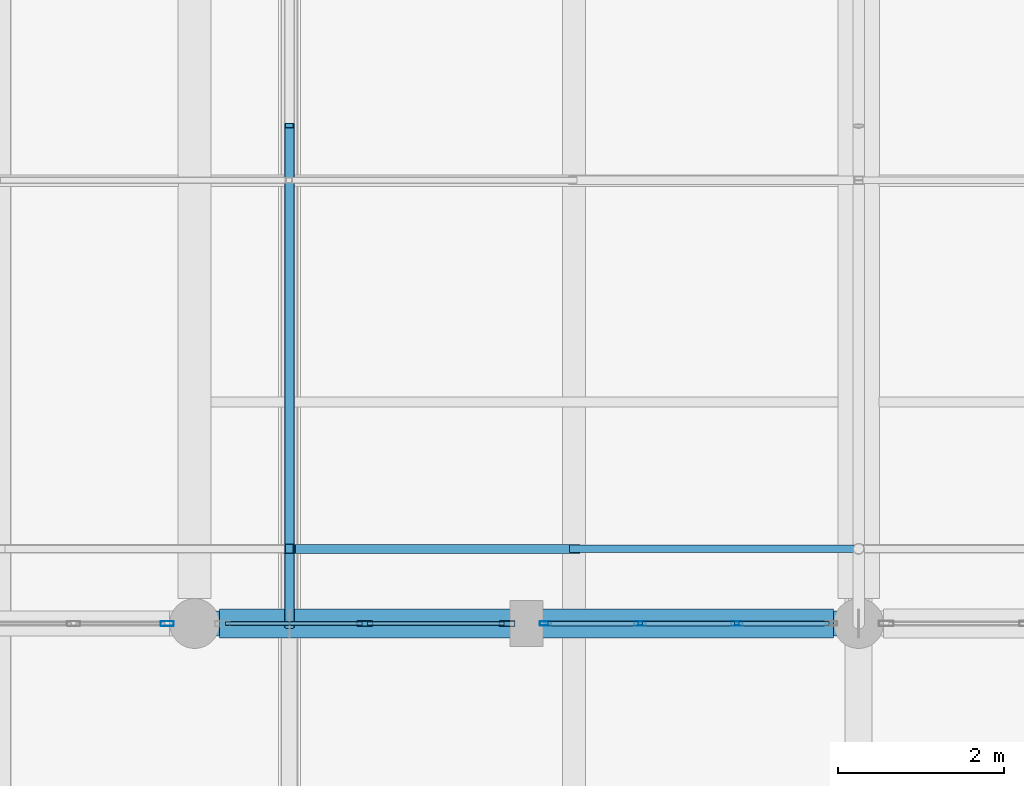
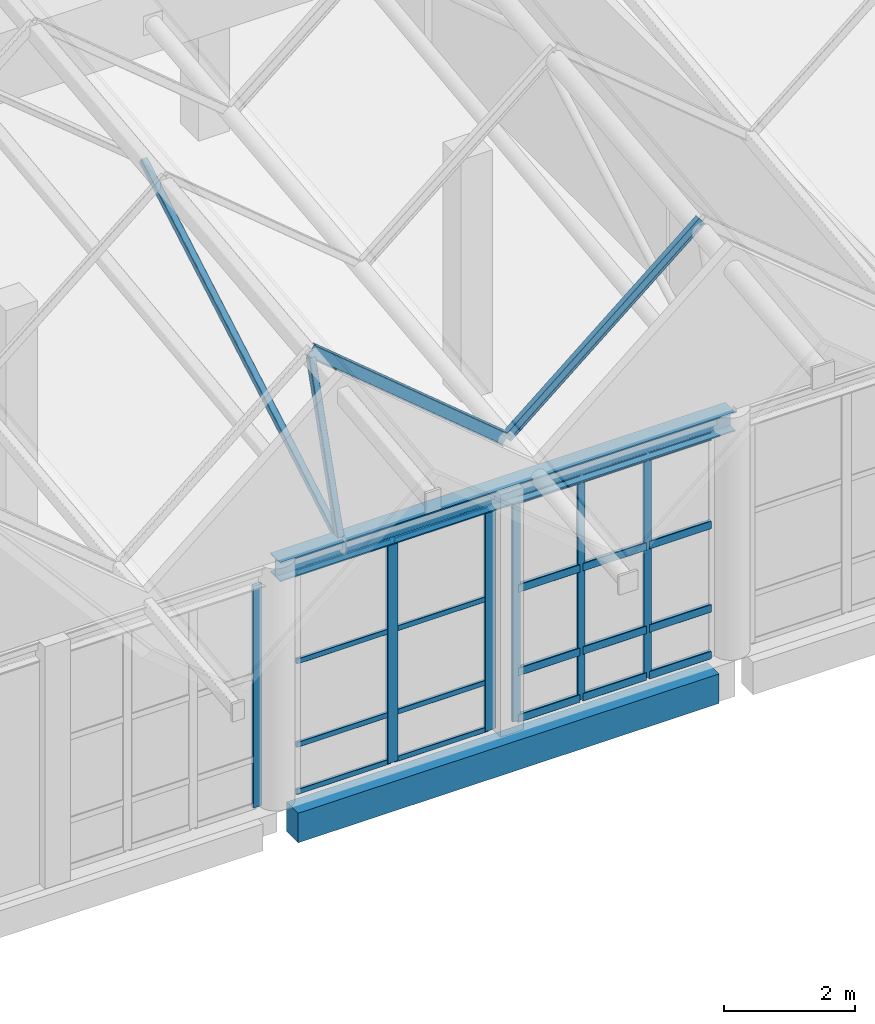
# One storey, part 71 of 183: 30 members, 2 beams, 3 elements without a shape of their own.
"""IFC4 building model written with IfcOpenShell, lengths in metres."""

from ifc_helpers import new_model, si_unit, direction, frame, origin, origin_2d, place, context, subcontext, project, spatial, rectangle, hollow_rectangle, i_section, extrude, material, material_profile, profile_set, type_object, element, aggregate, save


model = new_model("IFC4")

# Units and contexts
model_context = context("Model", 3, precision=1e-05, world=origin(), true_north=direction((0.0, 1.0)))
body_context = subcontext(model_context, "Body", "Model", "MODEL_VIEW")
ifc_project = project(units=[si_unit("LENGTHUNIT", "METRE"), si_unit("AREAUNIT", "SQUARE_METRE"), si_unit("VOLUMEUNIT", "CUBIC_METRE"), si_unit("PLANEANGLEUNIT", "RADIAN"), si_unit("MASSUNIT", "GRAM", prefix="KILO")], contexts=[model_context])

# Site, building, storey
site_placement = place(None, origin())
site = spatial("IfcSite", under=ifc_project, at=site_placement, CompositionType="ELEMENT")
building_placement = place(site_placement, origin())
building = spatial("IfcBuilding", under=site, at=building_placement, Name="Luwemba Playhouse", CompositionType="ELEMENT")
storey_placement = place(building_placement, frame((0.0, 0.0, 4.800048828125)))
storey = spatial("IfcBuildingStorey", under=building, at=storey_placement, Name="L01", CompositionType="ELEMENT", Elevation=4.800048828125)

# Beams
ifc_material_1 = material(Name="Steel S355", Category="steel")
ifc_material_profile_1 = material_profile(ifc_material_1, i_section(OverallWidth=0.300048828125, OverallDepth=0.360107421875, WebThickness=0.012451171875, FlangeThickness=0.0224609375, FilletRadius=0.027099609375, at=origin_2d()))
ifc_profile_set_1 = profile_set([ifc_material_profile_1], Name="Steel S355")
beam_type_1 = type_object("IfcBeamType", Name="BM-SB09", PredefinedType="BEAM", material=ifc_profile_set_1)
beam_1_placement = place(storey_placement, frame((140.0, 3.0, 4.320068359375), z_axis=(1.0, 0.0, 0.0), x_axis=(0.0, 1.0, 0.0)))
element("IfcBeam", 1, at=beam_1_placement, inside=storey, type_object=beam_type_1, Name="RF-V5E eave ring beam 0293", PredefinedType="BEAM", context=body_context, shape_type="SweptSolid", body=[
    extrude(i_section(OverallWidth=0.300048828125, OverallDepth=0.360107421875, WebThickness=0.012451171875, FlangeThickness=0.0224609375, FilletRadius=0.027099609375, at=origin_2d()), origin(), (0.0, 0.0, 1.0), 8.0),
])
ifc_material_2 = material(Name="Concrete C40/50", Category="concrete")
ifc_material_profile_2 = material_profile(ifc_material_2, rectangle(XDim=0.35009765625, YDim=0.550048828125, at=origin_2d()))
ifc_profile_set_2 = profile_set([ifc_material_profile_2], Name="Concrete C40/50")
beam_type_2 = type_object("IfcBeamType", Name="BM-SP2", PredefinedType="SPANDREL", material=ifc_profile_set_2)
beam_2_placement = place(storey_placement, frame((140.300048828125, 3.0, -0.525146484375), z_axis=(1.0, 0.0, 0.0), x_axis=(0.0, 1.0, 0.0)))
element("IfcBeam", 2, at=beam_2_placement, inside=storey, type_object=beam_type_2, Name="L01 grid girder 0521", PredefinedType="SPANDREL", context=body_context, shape_type="SweptSolid", body=[
    extrude(rectangle(XDim=0.35009765625, YDim=0.550048828125, at=origin_2d()), origin(), (0.0, 0.0, 1.0), 7.39990234375),
])

# Curtain wall, member
ifc_material_3 = material(Name="Solar-control double glazing", Category="glass")
curtain_wall_type_1 = type_object("IfcCurtainWallType", Name="CW-CW124", PredefinedType="USERDEFINED", material=ifc_material_3)
curtain_wall_1_placement = place(storey_placement, origin())
curtain_wall_1 = element("IfcCurtainWall", 3, at=curtain_wall_1_placement, inside=storey, type_object=curtain_wall_type_1, Name="L01 V5E unitised curtain wall 178", ObjectType="UNITISED GLAZING", PredefinedType="USERDEFINED")
ifc_material_4 = material(Name="Aluminium 6063-T6", Category="aluminium")
ifc_material_profile_3 = material_profile(ifc_material_4, hollow_rectangle(XDim=0.06005859375, YDim=0.159912109375, WallThickness=0.00390625, InnerFilletRadius=0.006103515625, OuterFilletRadius=0.010009765625, at=origin_2d()))
ifc_profile_set_3 = profile_set([ifc_material_profile_3], Name="Aluminium 6063-T6")
member_type_1 = type_object("IfcMemberType", Name="CWM-M1", PredefinedType="MULLION", material=ifc_profile_set_3)
member_1_placement = place(storey_placement, frame((139.669921875, 3.0, 0.0), z_axis=(0.0, 0.0, 1.0), x_axis=(0.0, -1.0, 0.0)))
member_1 = element("IfcMember", 4, at=member_1_placement, type_object=member_type_1, Name="CW124 mullion 1", PredefinedType="MULLION", context=body_context, shape_type="SweptSolid", body=[
    extrude(hollow_rectangle(XDim=0.06005859375, YDim=0.159912109375, WallThickness=0.00390625, InnerFilletRadius=0.006103515625, OuterFilletRadius=0.010009765625, at=origin_2d()), origin(), (0.0, 0.0, 1.0), 4.125),
])
aggregate(curtain_wall_1, [member_1])

# Curtain wall, members
curtain_wall_type_2 = type_object("IfcCurtainWallType", Name="CW-CW126", PredefinedType="USERDEFINED", material=ifc_material_3)
curtain_wall_2_placement = place(storey_placement, origin())
curtain_wall_2 = element("IfcCurtainWall", 5, at=curtain_wall_2_placement, inside=storey, type_object=curtain_wall_type_2, Name="L01 V5E unitised curtain wall 176", ObjectType="UNITISED GLAZING", PredefinedType="USERDEFINED")
ifc_material_profile_4 = material_profile(ifc_material_4, hollow_rectangle(XDim=0.054931640625, YDim=0.139892578125, WallThickness=0.00390625, InnerFilletRadius=0.006103515625, OuterFilletRadius=0.010009765625, at=origin_2d()))
ifc_profile_set_4 = profile_set([ifc_material_profile_4], Name="Aluminium 6063-T6")
member_type_2 = type_object("IfcMemberType", Name="CWM-M3", PredefinedType="MULLION", material=ifc_profile_set_4)
member_2_placement = place(storey_placement, frame((146.533447265625, 3.0, 0.0), z_axis=(0.0, 0.0, 1.0), x_axis=(0.0, -1.0, 0.0)))
member_2 = element("IfcMember", 6, at=member_2_placement, type_object=member_type_2, Name="CW126 mullion 2", PredefinedType="MULLION", context=body_context, shape_type="SweptSolid", body=[
    extrude(hollow_rectangle(XDim=0.054931640625, YDim=0.139892578125, WallThickness=0.00390625, InnerFilletRadius=0.006103515625, OuterFilletRadius=0.010009765625, at=origin_2d()), origin(), (0.0, 0.0, 1.0), 4.125),
])
member_3_placement = place(storey_placement, frame((145.36669921875, 3.0, 0.0), z_axis=(0.0, 0.0, 1.0), x_axis=(0.0, -1.0, 0.0)))
member_3 = element("IfcMember", 7, at=member_3_placement, type_object=member_type_2, Name="CW126 mullion 3", PredefinedType="MULLION", context=body_context, shape_type="SweptSolid", body=[
    extrude(hollow_rectangle(XDim=0.054931640625, YDim=0.139892578125, WallThickness=0.00390625, InnerFilletRadius=0.006103515625, OuterFilletRadius=0.010009765625, at=origin_2d()), origin(), (0.0, 0.0, 1.0), 4.125),
])
member_4_placement = place(storey_placement, frame((144.2275390625, 3.0, 0.0), z_axis=(0.0, 0.0, 1.0), x_axis=(0.0, -1.0, 0.0)))
member_4 = element("IfcMember", 8, at=member_4_placement, type_object=member_type_2, Name="CW126 mullion 4", PredefinedType="MULLION", context=body_context, shape_type="SweptSolid", body=[
    extrude(hollow_rectangle(XDim=0.054931640625, YDim=0.139892578125, WallThickness=0.00390625, InnerFilletRadius=0.006103515625, OuterFilletRadius=0.010009765625, at=origin_2d()), origin(), (0.0, 0.0, 1.0), 4.125),
])

curtain_wall_type_3 = type_object("IfcCurtainWallType", Name="CW-CW119", PredefinedType="USERDEFINED", material=ifc_material_3)
curtain_wall_3_placement = place(storey_placement, origin())
curtain_wall_3 = element("IfcCurtainWall", 9, at=curtain_wall_3_placement, inside=storey, type_object=curtain_wall_type_3, Name="L01 V5E unitised curtain wall 177", ObjectType="UNITISED GLAZING", PredefinedType="USERDEFINED")
ifc_material_profile_5 = material_profile(ifc_material_4, hollow_rectangle(XDim=0.070068359375, YDim=0.18994140625, WallThickness=0.0048828125, InnerFilletRadius=0.007568359375, OuterFilletRadius=0.012451171875, at=origin_2d()))
ifc_profile_set_5 = profile_set([ifc_material_profile_5], Name="Aluminium 6063-T6")
member_type_3 = type_object("IfcMemberType", Name="CWM-M4", PredefinedType="MULLION", material=ifc_profile_set_5)
member_5_placement = place(storey_placement, frame((143.764892578125, 3.0, 0.0), z_axis=(0.0, 0.0, 1.0), x_axis=(0.0, -1.0, 0.0)))
member_5 = element("IfcMember", 10, at=member_5_placement, type_object=member_type_3, Name="CW119 mullion 1", PredefinedType="MULLION", context=body_context, shape_type="SweptSolid", body=[
    extrude(hollow_rectangle(XDim=0.070068359375, YDim=0.18994140625, WallThickness=0.0048828125, InnerFilletRadius=0.007568359375, OuterFilletRadius=0.012451171875, at=origin_2d()), origin(), (0.0, 0.0, 1.0), 4.125),
])
member_6_placement = place(storey_placement, frame((142.050048828125, 3.0, 0.0), z_axis=(0.0, 0.0, 1.0), x_axis=(0.0, -1.0, 0.0)))
member_6 = element("IfcMember", 11, at=member_6_placement, type_object=member_type_3, Name="CW119 mullion 2", PredefinedType="MULLION", context=body_context, shape_type="SweptSolid", body=[
    extrude(hollow_rectangle(XDim=0.070068359375, YDim=0.18994140625, WallThickness=0.0048828125, InnerFilletRadius=0.007568359375, OuterFilletRadius=0.012451171875, at=origin_2d()), origin(), (0.0, 0.0, 1.0), 4.125),
])

# Member
ifc_material_profile_6 = material_profile(ifc_material_4, hollow_rectangle(XDim=0.06494140625, YDim=0.14990234375, WallThickness=0.00390625, InnerFilletRadius=0.006103515625, OuterFilletRadius=0.010009765625, at=origin_2d()))
ifc_profile_set_6 = profile_set([ifc_material_profile_6], Name="Aluminium 6063-T6")
member_type_4 = type_object("IfcMemberType", Name="CWT-T3", PredefinedType="USERDEFINED", material=ifc_profile_set_6)
member_7_placement = place(storey_placement, frame((147.64501953125, 3.0, 0.032470703125), z_axis=(-1.0, 0.0, 0.0), x_axis=(0.0, -1.0, 0.0)))
member_7 = element("IfcMember", 12, at=member_7_placement, type_object=member_type_4, Name="CW126 transom 1.1", ObjectType="TRANSOM", PredefinedType="USERDEFINED", context=body_context, shape_type="SweptSolid", body=[
    extrude(hollow_rectangle(XDim=0.06494140625, YDim=0.14990234375, WallThickness=0.00390625, InnerFilletRadius=0.006103515625, OuterFilletRadius=0.010009765625, at=origin_2d()), origin(), (0.0, 0.0, 1.0), 1.084228515625),
])

member_8_placement = place(storey_placement, frame((147.64501953125, 3.0, 0.89990234375), z_axis=(-1.0, 0.0, 0.0), x_axis=(0.0, -1.0, 0.0)))
member_8 = element("IfcMember", 13, at=member_8_placement, type_object=member_type_4, Name="CW126 transom 1.2", ObjectType="TRANSOM", PredefinedType="USERDEFINED", context=body_context, shape_type="SweptSolid", body=[
    extrude(hollow_rectangle(XDim=0.06494140625, YDim=0.14990234375, WallThickness=0.00390625, InnerFilletRadius=0.006103515625, OuterFilletRadius=0.010009765625, at=origin_2d()), origin(), (0.0, 0.0, 1.0), 1.084228515625),
])

member_9_placement = place(storey_placement, frame((147.64501953125, 3.0, 2.449951171875), z_axis=(-1.0, 0.0, 0.0), x_axis=(0.0, -1.0, 0.0)))
member_9 = element("IfcMember", 14, at=member_9_placement, type_object=member_type_4, Name="CW126 transom 1.3", ObjectType="TRANSOM", PredefinedType="USERDEFINED", context=body_context, shape_type="SweptSolid", body=[
    extrude(hollow_rectangle(XDim=0.06494140625, YDim=0.14990234375, WallThickness=0.00390625, InnerFilletRadius=0.006103515625, OuterFilletRadius=0.010009765625, at=origin_2d()), origin(), (0.0, 0.0, 1.0), 1.084228515625),
])

member_10_placement = place(storey_placement, frame((147.64501953125, 3.0, 4.092529296875), z_axis=(-1.0, 0.0, 0.0), x_axis=(0.0, -1.0, 0.0)))
member_10 = element("IfcMember", 15, at=member_10_placement, type_object=member_type_4, Name="CW126 transom 1.4", ObjectType="TRANSOM", PredefinedType="USERDEFINED", context=body_context, shape_type="SweptSolid", body=[
    extrude(hollow_rectangle(XDim=0.06494140625, YDim=0.14990234375, WallThickness=0.00390625, InnerFilletRadius=0.006103515625, OuterFilletRadius=0.010009765625, at=origin_2d()), origin(), (0.0, 0.0, 1.0), 1.084228515625),
])

member_11_placement = place(storey_placement, frame((146.505859375, 3.0, 0.032470703125), z_axis=(-1.0, 0.0, 0.0), x_axis=(0.0, -1.0, 0.0)))
member_11 = element("IfcMember", 16, at=member_11_placement, type_object=member_type_4, Name="CW126 transom 2.1", ObjectType="TRANSOM", PredefinedType="USERDEFINED", context=body_context, shape_type="SweptSolid", body=[
    extrude(hollow_rectangle(XDim=0.06494140625, YDim=0.14990234375, WallThickness=0.00390625, InnerFilletRadius=0.006103515625, OuterFilletRadius=0.010009765625, at=origin_2d()), origin(), (0.0, 0.0, 1.0), 1.111572265625),
])

member_12_placement = place(storey_placement, frame((146.505859375, 3.0, 0.89990234375), z_axis=(-1.0, 0.0, 0.0), x_axis=(0.0, -1.0, 0.0)))
member_12 = element("IfcMember", 17, at=member_12_placement, type_object=member_type_4, Name="CW126 transom 2.2", ObjectType="TRANSOM", PredefinedType="USERDEFINED", context=body_context, shape_type="SweptSolid", body=[
    extrude(hollow_rectangle(XDim=0.06494140625, YDim=0.14990234375, WallThickness=0.00390625, InnerFilletRadius=0.006103515625, OuterFilletRadius=0.010009765625, at=origin_2d()), origin(), (0.0, 0.0, 1.0), 1.111572265625),
])

member_13_placement = place(storey_placement, frame((146.505859375, 3.0, 2.449951171875), z_axis=(-1.0, 0.0, 0.0), x_axis=(0.0, -1.0, 0.0)))
member_13 = element("IfcMember", 18, at=member_13_placement, type_object=member_type_4, Name="CW126 transom 2.3", ObjectType="TRANSOM", PredefinedType="USERDEFINED", context=body_context, shape_type="SweptSolid", body=[
    extrude(hollow_rectangle(XDim=0.06494140625, YDim=0.14990234375, WallThickness=0.00390625, InnerFilletRadius=0.006103515625, OuterFilletRadius=0.010009765625, at=origin_2d()), origin(), (0.0, 0.0, 1.0), 1.111572265625),
])

member_14_placement = place(storey_placement, frame((146.505859375, 3.0, 4.092529296875), z_axis=(-1.0, 0.0, 0.0), x_axis=(0.0, -1.0, 0.0)))
member_14 = element("IfcMember", 19, at=member_14_placement, type_object=member_type_4, Name="CW126 transom 2.4", ObjectType="TRANSOM", PredefinedType="USERDEFINED", context=body_context, shape_type="SweptSolid", body=[
    extrude(hollow_rectangle(XDim=0.06494140625, YDim=0.14990234375, WallThickness=0.00390625, InnerFilletRadius=0.006103515625, OuterFilletRadius=0.010009765625, at=origin_2d()), origin(), (0.0, 0.0, 1.0), 1.111572265625),
])

member_15_placement = place(storey_placement, frame((145.339111328125, 3.0, 0.032470703125), z_axis=(-1.0, 0.0, 0.0), x_axis=(0.0, -1.0, 0.0)))
member_15 = element("IfcMember", 20, at=member_15_placement, type_object=member_type_4, Name="CW126 transom 3.1", ObjectType="TRANSOM", PredefinedType="USERDEFINED", context=body_context, shape_type="SweptSolid", body=[
    extrude(hollow_rectangle(XDim=0.06494140625, YDim=0.14990234375, WallThickness=0.00390625, InnerFilletRadius=0.006103515625, OuterFilletRadius=0.010009765625, at=origin_2d()), origin(), (0.0, 0.0, 1.0), 1.084228515625),
])

member_16_placement = place(storey_placement, frame((145.339111328125, 3.0, 0.89990234375), z_axis=(-1.0, 0.0, 0.0), x_axis=(0.0, -1.0, 0.0)))
member_16 = element("IfcMember", 21, at=member_16_placement, type_object=member_type_4, Name="CW126 transom 3.2", ObjectType="TRANSOM", PredefinedType="USERDEFINED", context=body_context, shape_type="SweptSolid", body=[
    extrude(hollow_rectangle(XDim=0.06494140625, YDim=0.14990234375, WallThickness=0.00390625, InnerFilletRadius=0.006103515625, OuterFilletRadius=0.010009765625, at=origin_2d()), origin(), (0.0, 0.0, 1.0), 1.084228515625),
])

member_17_placement = place(storey_placement, frame((145.339111328125, 3.0, 2.449951171875), z_axis=(-1.0, 0.0, 0.0), x_axis=(0.0, -1.0, 0.0)))
member_17 = element("IfcMember", 22, at=member_17_placement, type_object=member_type_4, Name="CW126 transom 3.3", ObjectType="TRANSOM", PredefinedType="USERDEFINED", context=body_context, shape_type="SweptSolid", body=[
    extrude(hollow_rectangle(XDim=0.06494140625, YDim=0.14990234375, WallThickness=0.00390625, InnerFilletRadius=0.006103515625, OuterFilletRadius=0.010009765625, at=origin_2d()), origin(), (0.0, 0.0, 1.0), 1.084228515625),
])

member_18_placement = place(storey_placement, frame((145.339111328125, 3.0, 4.092529296875), z_axis=(-1.0, 0.0, 0.0), x_axis=(0.0, -1.0, 0.0)))
member_18 = element("IfcMember", 23, at=member_18_placement, type_object=member_type_4, Name="CW126 transom 3.4", ObjectType="TRANSOM", PredefinedType="USERDEFINED", context=body_context, shape_type="SweptSolid", body=[
    extrude(hollow_rectangle(XDim=0.06494140625, YDim=0.14990234375, WallThickness=0.00390625, InnerFilletRadius=0.006103515625, OuterFilletRadius=0.010009765625, at=origin_2d()), origin(), (0.0, 0.0, 1.0), 1.084228515625),
])

aggregate(curtain_wall_2, [member_2, member_3, member_4, member_7, member_8, member_9, member_10, member_11, member_12, member_13, member_14, member_15, member_16, member_17, member_18])

ifc_material_profile_7 = material_profile(ifc_material_4, hollow_rectangle(XDim=0.050048828125, YDim=0.10009765625, WallThickness=0.00341796875, InnerFilletRadius=0.00537109375, OuterFilletRadius=0.0087890625, at=origin_2d()))
ifc_profile_set_7 = profile_set([ifc_material_profile_7], Name="Aluminium 6063-T6")
member_type_5 = type_object("IfcMemberType", Name="CWT-T4", PredefinedType="USERDEFINED", material=ifc_profile_set_7)
member_19_placement = place(storey_placement, frame((143.72998046875, 3.0, 0.02490234375), z_axis=(-1.0, 0.0, 0.0), x_axis=(0.0, -1.0, 0.0)))
member_19 = element("IfcMember", 24, at=member_19_placement, type_object=member_type_5, Name="CW119 transom 1.1", ObjectType="TRANSOM", PredefinedType="USERDEFINED", context=body_context, shape_type="SweptSolid", body=[
    extrude(hollow_rectangle(XDim=0.050048828125, YDim=0.10009765625, WallThickness=0.00341796875, InnerFilletRadius=0.00537109375, OuterFilletRadius=0.0087890625, at=origin_2d()), origin(), (0.0, 0.0, 1.0), 1.64501953125),
])

member_20_placement = place(storey_placement, frame((143.72998046875, 3.0, 0.89990234375), z_axis=(-1.0, 0.0, 0.0), x_axis=(0.0, -1.0, 0.0)))
member_20 = element("IfcMember", 25, at=member_20_placement, type_object=member_type_5, Name="CW119 transom 1.2", ObjectType="TRANSOM", PredefinedType="USERDEFINED", context=body_context, shape_type="SweptSolid", body=[
    extrude(hollow_rectangle(XDim=0.050048828125, YDim=0.10009765625, WallThickness=0.00341796875, InnerFilletRadius=0.00537109375, OuterFilletRadius=0.0087890625, at=origin_2d()), origin(), (0.0, 0.0, 1.0), 1.64501953125),
])

member_21_placement = place(storey_placement, frame((143.72998046875, 3.0, 2.449951171875), z_axis=(-1.0, 0.0, 0.0), x_axis=(0.0, -1.0, 0.0)))
member_21 = element("IfcMember", 26, at=member_21_placement, type_object=member_type_5, Name="CW119 transom 1.3", ObjectType="TRANSOM", PredefinedType="USERDEFINED", context=body_context, shape_type="SweptSolid", body=[
    extrude(hollow_rectangle(XDim=0.050048828125, YDim=0.10009765625, WallThickness=0.00341796875, InnerFilletRadius=0.00537109375, OuterFilletRadius=0.0087890625, at=origin_2d()), origin(), (0.0, 0.0, 1.0), 1.64501953125),
])

member_22_placement = place(storey_placement, frame((143.72998046875, 3.0, 4.099853515625), z_axis=(-1.0, 0.0, 0.0), x_axis=(0.0, -1.0, 0.0)))
member_22 = element("IfcMember", 27, at=member_22_placement, type_object=member_type_5, Name="CW119 transom 1.4", ObjectType="TRANSOM", PredefinedType="USERDEFINED", context=body_context, shape_type="SweptSolid", body=[
    extrude(hollow_rectangle(XDim=0.050048828125, YDim=0.10009765625, WallThickness=0.00341796875, InnerFilletRadius=0.00537109375, OuterFilletRadius=0.0087890625, at=origin_2d()), origin(), (0.0, 0.0, 1.0), 1.64501953125),
])

member_23_placement = place(storey_placement, frame((142.014892578125, 3.0, 0.02490234375), z_axis=(-1.0, 0.0, 0.0), x_axis=(0.0, -1.0, 0.0)))
member_23 = element("IfcMember", 28, at=member_23_placement, type_object=member_type_5, Name="CW119 transom 2.1", ObjectType="TRANSOM", PredefinedType="USERDEFINED", context=body_context, shape_type="SweptSolid", body=[
    extrude(hollow_rectangle(XDim=0.050048828125, YDim=0.10009765625, WallThickness=0.00341796875, InnerFilletRadius=0.00537109375, OuterFilletRadius=0.0087890625, at=origin_2d()), origin(), (0.0, 0.0, 1.0), 1.644775390625),
])

member_24_placement = place(storey_placement, frame((142.014892578125, 3.0, 0.89990234375), z_axis=(-1.0, 0.0, 0.0), x_axis=(0.0, -1.0, 0.0)))
member_24 = element("IfcMember", 29, at=member_24_placement, type_object=member_type_5, Name="CW119 transom 2.2", ObjectType="TRANSOM", PredefinedType="USERDEFINED", context=body_context, shape_type="SweptSolid", body=[
    extrude(hollow_rectangle(XDim=0.050048828125, YDim=0.10009765625, WallThickness=0.00341796875, InnerFilletRadius=0.00537109375, OuterFilletRadius=0.0087890625, at=origin_2d()), origin(), (0.0, 0.0, 1.0), 1.644775390625),
])

member_25_placement = place(storey_placement, frame((142.014892578125, 3.0, 2.449951171875), z_axis=(-1.0, 0.0, 0.0), x_axis=(0.0, -1.0, 0.0)))
member_25 = element("IfcMember", 30, at=member_25_placement, type_object=member_type_5, Name="CW119 transom 2.3", ObjectType="TRANSOM", PredefinedType="USERDEFINED", context=body_context, shape_type="SweptSolid", body=[
    extrude(hollow_rectangle(XDim=0.050048828125, YDim=0.10009765625, WallThickness=0.00341796875, InnerFilletRadius=0.00537109375, OuterFilletRadius=0.0087890625, at=origin_2d()), origin(), (0.0, 0.0, 1.0), 1.644775390625),
])

member_26_placement = place(storey_placement, frame((142.014892578125, 3.0, 4.099853515625), z_axis=(-1.0, 0.0, 0.0), x_axis=(0.0, -1.0, 0.0)))
member_26 = element("IfcMember", 31, at=member_26_placement, type_object=member_type_5, Name="CW119 transom 2.4", ObjectType="TRANSOM", PredefinedType="USERDEFINED", context=body_context, shape_type="SweptSolid", body=[
    extrude(hollow_rectangle(XDim=0.050048828125, YDim=0.10009765625, WallThickness=0.00341796875, InnerFilletRadius=0.00537109375, OuterFilletRadius=0.0087890625, at=origin_2d()), origin(), (0.0, 0.0, 1.0), 1.644775390625),
])

aggregate(curtain_wall_3, [member_5, member_6, member_19, member_20, member_21, member_22, member_23, member_24, member_25, member_26])

# Members
ifc_material_profile_8 = material_profile(ifc_material_1, hollow_rectangle(XDim=0.1201171875, YDim=0.1201171875, WallThickness=0.008056640625, InnerFilletRadius=0.011962890625, OuterFilletRadius=0.02001953125, at=origin_2d()))
ifc_profile_set_8 = profile_set([ifc_material_profile_8], Name="Steel S355")
member_type_6 = type_object("IfcMemberType", Name="MEM-MB06", PredefinedType="BRACE", material=ifc_profile_set_8)
member_27_placement = place(storey_placement, frame((141.142822265625, 3.0, 4.39990234375), z_axis=(0.0, 0.866512940122, 0.499154609917), x_axis=(-1.0, 0.0, 0.0)))
element("IfcMember", 32, at=member_27_placement, inside=storey, type_object=member_type_6, Name="ROOF TRUSS web diagonal 0279", PredefinedType="BRACE", context=body_context, shape_type="SweptSolid", body=[
    extrude(hollow_rectangle(XDim=0.1201171875, YDim=0.1201171875, WallThickness=0.008056640625, InnerFilletRadius=0.011962890625, OuterFilletRadius=0.02001953125, at=origin_2d()), origin(), (0.0, 0.0, 1.0), 6.92431640625),
])
member_28_placement = place(storey_placement, frame((141.142822265625, 3.0, 4.39990234375), z_axis=(0.0, 0.297773567403, 0.954636529029), x_axis=(-1.0, 0.0, 0.0)))
element("IfcMember", 33, at=member_28_placement, inside=storey, type_object=member_type_6, Name="ROOF TRUSS eave knee strut 0076", PredefinedType="BRACE", context=body_context, shape_type="SweptSolid", body=[
    extrude(hollow_rectangle(XDim=0.1201171875, YDim=0.1201171875, WallThickness=0.008056640625, InnerFilletRadius=0.011962890625, OuterFilletRadius=0.02001953125, at=origin_2d()), origin(), (0.0, 0.0, 1.0), 3.022216796875),
])
ifc_material_profile_9 = material_profile(ifc_material_1, i_section(OverallWidth=0.091064453125, OverallDepth=0.179931640625, WebThickness=0.00537109375, FlangeThickness=0.008056640625, FilletRadius=0.009033203125, at=origin_2d()))
ifc_profile_set_9 = profile_set([ifc_material_profile_9], Name="Steel S355")
member_type_7 = type_object("IfcMemberType", Name="MEM-MP06", PredefinedType="PURLIN", material=ifc_profile_set_9)
member_29_placement = place(storey_placement, frame((144.5712890625, 3.89990234375, 4.582763671875), z_axis=(0.768364765209, 0.0, 0.640012177685), x_axis=(0.0, 1.0, 0.0)))
element("IfcMember", 34, at=member_29_placement, inside=storey, type_object=member_type_7, Name="Pleated roof purlin 0565", PredefinedType="PURLIN", context=body_context, shape_type="SweptSolid", body=[
    extrude(i_section(OverallWidth=0.091064453125, OverallDepth=0.179931640625, WebThickness=0.00537109375, FlangeThickness=0.008056640625, FilletRadius=0.009033203125, at=origin_2d()), origin(), (0.0, 0.0, 1.0), 4.46240234375),
])
ifc_material_profile_10 = material_profile(ifc_material_1, i_section(OverallWidth=0.110107421875, OverallDepth=0.219970703125, WebThickness=0.005859375, FlangeThickness=0.00927734375, FilletRadius=0.011962890625, at=origin_2d()))
ifc_profile_set_10 = profile_set([ifc_material_profile_10], Name="Steel S355")
member_type_8 = type_object("IfcMemberType", Name="MEM-MP08", PredefinedType="PURLIN", material=ifc_profile_set_10)
member_30_placement = place(storey_placement, frame((141.142822265625, 3.89990234375, 7.41064453125), z_axis=(0.768369259913, 0.0, -0.640006781543), x_axis=(0.0, 1.0, 0.0)))
element("IfcMember", 35, at=member_30_placement, inside=storey, type_object=member_type_8, Name="Pleated roof purlin 0559", PredefinedType="PURLIN", context=body_context, shape_type="SweptSolid", body=[
    extrude(i_section(OverallWidth=0.110107421875, OverallDepth=0.219970703125, WebThickness=0.005859375, FlangeThickness=0.00927734375, FilletRadius=0.011962890625, at=origin_2d()), origin(), (0.0, 0.0, 1.0), 4.4619140625),
])

save(model, "model.ifc")
